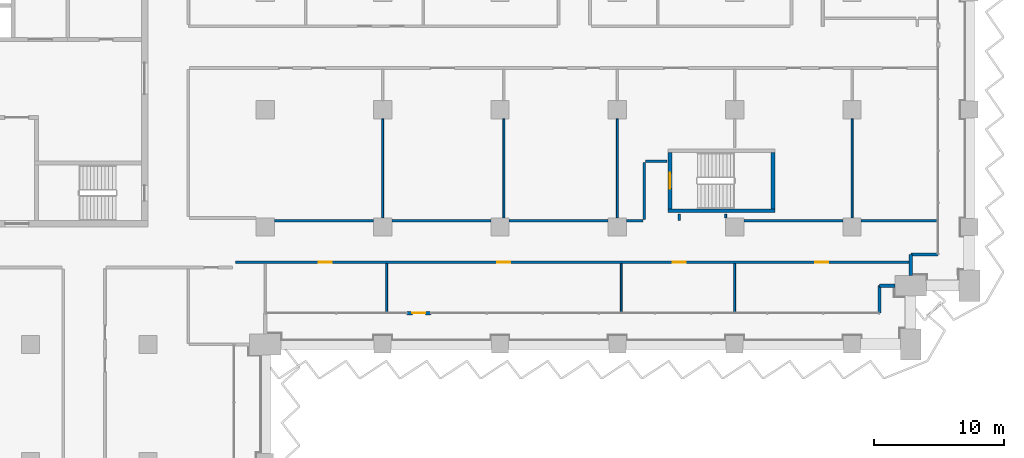
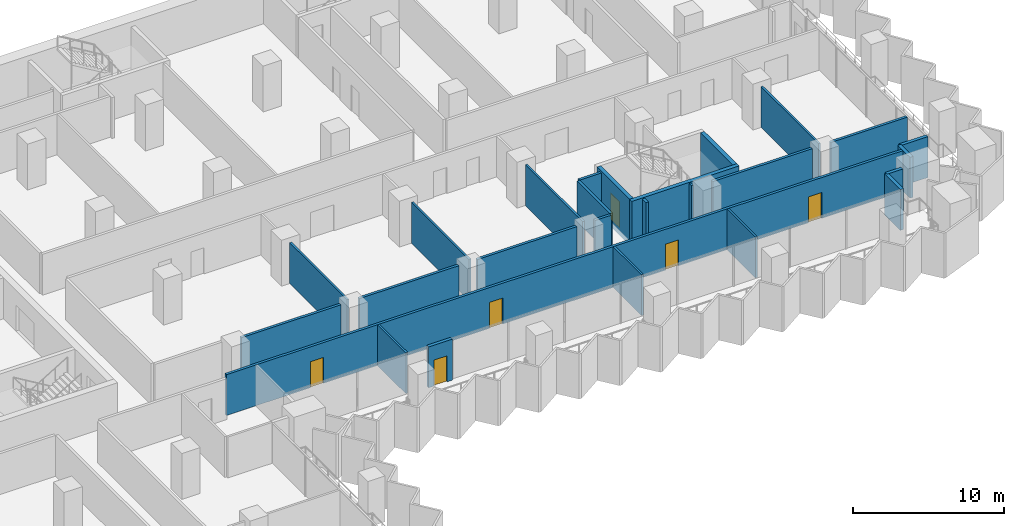
# One storey, part 14 of 29: 26 walls, 6 doors, 6 openings.
"""IFC4 building model written with IfcOpenShell, lengths in metres."""

from ifc_helpers import new_model, si_unit, direction, frame, frame_2d, origin, place, context, subcontext, project, spatial, rectangle, extrude, material, layer, layer_set, type_object, element, fill, save


model = new_model("IFC4")

# Units and contexts
model_context = context("Model", 3, precision=1e-05, world=origin(), true_north=direction((0.0, 1.0)))
body_context = subcontext(model_context, "Body", "Model", "MODEL_VIEW")
ifc_project = project(units=[si_unit("LENGTHUNIT", "METRE"), si_unit("AREAUNIT", "SQUARE_METRE"), si_unit("VOLUMEUNIT", "CUBIC_METRE"), si_unit("PLANEANGLEUNIT", "RADIAN"), si_unit("MASSUNIT", "GRAM", prefix="KILO")], contexts=[model_context])

# Site, building, storey
site_placement = place(None, origin())
site = spatial("IfcSite", under=ifc_project, at=site_placement, CompositionType="ELEMENT")
building_placement = place(site_placement, origin())
building = spatial("IfcBuilding", under=site, at=building_placement, Name="Hunhe Ridgeline Campus", CompositionType="ELEMENT")
storey_placement = place(building_placement, frame((0.0, 0.0, 65.39990234375)))
storey = spatial("IfcBuildingStorey", under=building, at=storey_placement, Name="L15", CompositionType="ELEMENT", Elevation=65.39990234375)

# Walls
ifc_material_1 = material(Name="Concrete C30", Category="concrete")
ifc_layer_1 = layer(ifc_material_1, 0.25)
ifc_layer_set_1 = layer_set([ifc_layer_1], Name="Corner return wall 250 Concrete C30")
wall_type_1 = type_object("IfcWallType", Name="Corner return wall 250 Concrete C30", PredefinedType="SOLIDWALL", material=ifc_layer_set_1)
wall_1_placement = place(storey_placement, frame((92.09912109375, 56.40087890625, 0.0), z_axis=(0.0, 0.0, 1.0), x_axis=(0.00011626555, 0.999999993241, 0.0)))
element("IfcWall", 1, at=wall_1_placement, inside=storey, type_object=wall_type_1, Name="Corner return wall 4", PredefinedType="SOLIDWALL", context=body_context, shape_type="SweptSolid", body=[
    extrude(rectangle(XDim=2.099853515625, YDim=0.25, at=frame_2d((1.0498046875, 0.0))), origin(), (0.0, 0.0, 1.0), 3.300048828125),
])
wall_2_placement = place(storey_placement, frame((92.099365234375, 58.500732421875, 0.0), z_axis=(0.0, 0.0, 1.0), x_axis=(1.0, 0.0, 0.0)))
element("IfcWall", 2, at=wall_2_placement, inside=storey, type_object=wall_type_1, Name="Corner return wall 5", PredefinedType="SOLIDWALL", context=body_context, shape_type="SweptSolid", body=[
    extrude(rectangle(XDim=1.20068359375, YDim=0.25, at=frame_2d((0.600341796875, 0.0))), origin(), (0.0, 0.0, 1.0), 3.300048828125),
])
wall_3_placement = place(storey_placement, frame((94.4990234375, 59.300048828125, 0.0), z_axis=(0.0, 0.0, 1.0), x_axis=(0.00015253203, 0.999999988367, 0.0)))
element("IfcWall", 3, at=wall_3_placement, inside=storey, type_object=wall_type_1, Name="Corner return wall 6", PredefinedType="SOLIDWALL", context=body_context, shape_type="SweptSolid", body=[
    extrude(rectangle(XDim=1.6005859375, YDim=0.25, at=frame_2d((0.80029296875, 0.0))), origin(), (0.0, 0.0, 1.0), 3.300048828125),
])
wall_4_placement = place(storey_placement, frame((94.499267578125, 60.900634765625, 0.0), z_axis=(0.0, 0.0, 1.0), x_axis=(0.999999993241, 0.00011626555, 0.0)))
element("IfcWall", 4, at=wall_4_placement, inside=storey, type_object=wall_type_1, Name="Corner return wall 7", PredefinedType="SOLIDWALL", context=body_context, shape_type="SweptSolid", body=[
    extrude(rectangle(XDim=2.099853515625, YDim=0.25, at=frame_2d((1.0498046875, 0.0))), origin(), (0.0, 0.0, 1.0), 3.300048828125),
])

# Wall, openings, doors
ifc_material_2 = material(Name="Gypsum board partition")
ifc_layer_2 = layer(ifc_material_2, 0.199951171875)
ifc_layer_set_2 = layer_set([ifc_layer_2], Name="Corridor partition 200 gypsum board on steel studs")
wall_type_2 = type_object("IfcWallType", Name="Corridor partition 200 gypsum board on steel studs", PredefinedType="PARTITIONING", material=ifc_layer_set_2)
wall_5_placement = place(storey_placement, frame((94.354248046875, 60.300048828125, 0.0), z_axis=(0.0, 0.0, 1.0), x_axis=(-1.0, 0.0, 0.0)))
wall_5 = element("IfcWall", 5, at=wall_5_placement, inside=storey, type_object=wall_type_2, Name="F-L15-wall-034", PredefinedType="PARTITIONING", context=body_context, shape_type="SweptSolid", body=[
    extrude(rectangle(XDim=51.654296875, YDim=0.199951171875, at=frame_2d((25.8271484375, 0.0))), origin(), (0.0, 0.0, 1.0), 3.300048828125),
])
opening_1_placement = place(wall_5_placement, frame((44.24658203125, 0.0, 0.0)))
opening_1 = element("IfcOpeningElement", 6, at=opening_1_placement, cuts=wall_5, Name="Opening RD1-023", PredefinedType="OPENING", context=body_context, shape_type="SweptSolid", body=[
    extrude(rectangle(XDim=1.0, YDim=2.10009765625, at=frame_2d((0.5, 1.050048828125))), frame((0.0, 0.10009765625, 0.0), z_axis=(0.0, -1.0, 0.0), x_axis=(1.0, 0.0, 0.0)), (0.0, 0.0, 1.0), 0.199951171875),
])
opening_2_placement = place(wall_5_placement, frame((30.556640625, 0.0, 0.0)))
opening_2 = element("IfcOpeningElement", 7, at=opening_2_placement, cuts=wall_5, Name="Opening RD1-024", PredefinedType="OPENING", context=body_context, shape_type="SweptSolid", body=[
    extrude(rectangle(XDim=1.0, YDim=2.10009765625, at=frame_2d((0.5, 1.050048828125))), frame((0.0, 0.10009765625, 0.0), z_axis=(0.0, -1.0, 0.0), x_axis=(1.0, 0.0, 0.0)), (0.0, 0.0, 1.0), 0.199951171875),
])
opening_3_placement = place(wall_5_placement, frame((17.117919921875, 0.0, 0.0)))
opening_3 = element("IfcOpeningElement", 8, at=opening_3_placement, cuts=wall_5, Name="Opening RD1-025", PredefinedType="OPENING", context=body_context, shape_type="SweptSolid", body=[
    extrude(rectangle(XDim=1.0, YDim=2.10009765625, at=frame_2d((0.5, 1.050048828125))), frame((0.0, 0.10009765625, 0.0), z_axis=(0.0, -1.0, 0.0), x_axis=(1.0, 0.0, 0.0)), (0.0, 0.0, 1.0), 0.199951171875),
])
opening_4_placement = place(wall_5_placement, frame((6.191162109375, 0.0, 0.0)))
opening_4 = element("IfcOpeningElement", 9, at=opening_4_placement, cuts=wall_5, Name="Opening RD1-026", PredefinedType="OPENING", context=body_context, shape_type="SweptSolid", body=[
    extrude(rectangle(XDim=1.0, YDim=2.10009765625, at=frame_2d((0.5, 1.050048828125))), frame((0.0, 0.10009765625, 0.0), z_axis=(0.0, -1.0, 0.0), x_axis=(1.0, 0.0, 0.0)), (0.0, 0.0, 1.0), 0.199951171875),
])
ifc_material_3 = material(Name="Timber door leaf", Category="wood")
door_type_1 = type_object("IfcDoorType", Name="Single fire door 1000x2100 timber FD60", OperationType="NOTDEFINED", PredefinedType="DOOR", material=ifc_material_3)
door_1_placement = place(opening_1_placement, origin())
door_1 = element("IfcDoor", 10, at=door_1_placement, inside=storey, type_object=door_type_1, Name="F-L15-door-023", OperationType="SINGLE_SWING_RIGHT", OverallHeight=2.10009765625, OverallWidth=1.0, PredefinedType="DOOR", context=body_context, shape_type="SweptSolid", body=[
    extrude(rectangle(XDim=1.0, YDim=2.10009765625, at=frame_2d((0.5, 1.050048828125))), frame((0.0, 0.02490234375, 0.0), z_axis=(0.0, -1.0, 0.0), x_axis=(1.0, 0.0, 0.0)), (0.0, 0.0, 1.0), 0.050048828125),
])
fill(opening_1, door_1)
door_2_placement = place(opening_2_placement, origin())
door_2 = element("IfcDoor", 11, at=door_2_placement, inside=storey, type_object=door_type_1, Name="F-L15-door-024", OperationType="SINGLE_SWING_LEFT", OverallHeight=2.10009765625, OverallWidth=1.0, PredefinedType="DOOR", context=body_context, shape_type="SweptSolid", body=[
    extrude(rectangle(XDim=1.0, YDim=2.10009765625, at=frame_2d((0.5, 1.050048828125))), frame((0.0, 0.02490234375, 0.0), z_axis=(0.0, -1.0, 0.0), x_axis=(1.0, 0.0, 0.0)), (0.0, 0.0, 1.0), 0.050048828125),
])
fill(opening_2, door_2)
door_3_placement = place(opening_3_placement, origin())
door_3 = element("IfcDoor", 12, at=door_3_placement, inside=storey, type_object=door_type_1, Name="F-L15-door-025", OperationType="SINGLE_SWING_LEFT", OverallHeight=2.10009765625, OverallWidth=1.0, PredefinedType="DOOR", context=body_context, shape_type="SweptSolid", body=[
    extrude(rectangle(XDim=1.0, YDim=2.10009765625, at=frame_2d((0.5, 1.050048828125))), frame((0.0, 0.02490234375, 0.0), z_axis=(0.0, -1.0, 0.0), x_axis=(1.0, 0.0, 0.0)), (0.0, 0.0, 1.0), 0.050048828125),
])
fill(opening_3, door_3)
door_4_placement = place(opening_4_placement, origin())
door_4 = element("IfcDoor", 13, at=door_4_placement, inside=storey, type_object=door_type_1, Name="F-L15-door-026", OperationType="SINGLE_SWING_LEFT", OverallHeight=2.10009765625, OverallWidth=1.0, PredefinedType="DOOR", context=body_context, shape_type="SweptSolid", body=[
    extrude(rectangle(XDim=1.0, YDim=2.10009765625, at=frame_2d((0.5, 1.050048828125))), frame((0.0, 0.02490234375, 0.0), z_axis=(0.0, -1.0, 0.0), x_axis=(1.0, 0.0, 0.0)), (0.0, 0.0, 1.0), 0.050048828125),
])
fill(opening_4, door_4)

# Walls
for number, where, z_axis, x_axis, name in (
    (14, (45.699951171875, 63.5, 0.0), (0.0, 0.0, 1.0), (1.0, 0.0, 0.0), "F-L15-wall-036"),
    (15, (54.699951171875, 63.5, 0.0), (0.0, 0.0, 1.0), (1.0, 0.0, 0.0), "F-L15-wall-037"),
    (16, (63.699951171875, 63.5, 0.0), (0.0, 0.0, 1.0), (1.0, 0.0, 0.0), "F-L15-wall-038"),
):
    element("IfcWall", number, at=place(storey_placement, frame(where, z_axis=z_axis, x_axis=x_axis)), inside=storey, type_object=wall_type_2, Name=name, PredefinedType="PARTITIONING", context=body_context, shape_type="SweptSolid", body=[
        extrude(rectangle(XDim=7.60009765625, YDim=0.199951171875, at=frame_2d((3.800048828125, 0.0))), origin(), (0.0, 0.0, 1.0), 3.300048828125),
    ])
wall_6_placement = place(storey_placement, frame((72.699951171875, 63.5, 0.0), z_axis=(0.0, 0.0, 1.0), x_axis=(1.0, 0.0, 0.0)))
element("IfcWall", 17, at=wall_6_placement, inside=storey, type_object=wall_type_2, Name="F-L15-wall-039", PredefinedType="PARTITIONING", context=body_context, shape_type="SweptSolid", body=[
    extrude(rectangle(XDim=1.25, YDim=0.199951171875, at=frame_2d((0.625, 0.0))), origin(), (0.0, 0.0, 1.0), 3.300048828125),
])
wall_7_placement = place(storey_placement, frame((81.699951171875, 63.5, 0.0), z_axis=(0.0, 0.0, 1.0), x_axis=(1.0, 0.0, 0.0)))
element("IfcWall", 18, at=wall_7_placement, inside=storey, type_object=wall_type_2, Name="F-L15-wall-040", PredefinedType="PARTITIONING", context=body_context, shape_type="SweptSolid", body=[
    extrude(rectangle(XDim=7.60009765625, YDim=0.199951171875, at=frame_2d((3.800048828125, 0.0))), origin(), (0.0, 0.0, 1.0), 3.300048828125),
])
wall_8_placement = place(storey_placement, frame((90.699951171875, 63.5, 0.0), z_axis=(0.0, 0.0, 1.0), x_axis=(1.0, 0.0, 0.0)))
element("IfcWall", 19, at=wall_8_placement, inside=storey, type_object=wall_type_2, Name="F-L15-wall-041", PredefinedType="PARTITIONING", context=body_context, shape_type="SweptSolid", body=[
    extrude(rectangle(XDim=5.844970703125, YDim=0.199951171875, at=frame_2d((2.92236328125, 0.0))), origin(), (0.0, 0.0, 1.0), 3.300048828125),
])
wall_9_placement = place(storey_placement, frame((74.14990234375, 68.050048828125, 0.0), z_axis=(0.0, 0.0, 1.0), x_axis=(1.0, 0.0, 0.0)))
element("IfcWall", 20, at=wall_9_placement, inside=storey, type_object=wall_type_2, Name="F-L15-wall-042", PredefinedType="PARTITIONING", context=body_context, shape_type="SweptSolid", body=[
    extrude(rectangle(XDim=1.64599609375, YDim=0.199951171875, at=frame_2d((0.822998046875, 0.0))), origin(), (0.0, 0.0, 1.0), 3.300048828125),
])
wall_10_placement = place(storey_placement, frame((74.050048828125, 63.60009765625, 0.0), z_axis=(0.0, 0.0, 1.0), x_axis=(0.0, 1.0, 0.0)))
element("IfcWall", 21, at=wall_10_placement, inside=storey, type_object=wall_type_2, Name="F-L15-wall-076", PredefinedType="PARTITIONING", context=body_context, shape_type="SweptSolid", body=[
    extrude(rectangle(XDim=4.349853515625, YDim=0.199951171875, at=frame_2d((2.1748046875, 0.0))), origin(), (0.0, 0.0, 1.0), 3.300048828125),
])
wall_11_placement = place(storey_placement, frame((76.75, 63.99609375, 0.0), z_axis=(0.0, 0.0, 1.0), x_axis=(0.0, -1.0, 0.0)))
element("IfcWall", 22, at=wall_11_placement, inside=storey, type_object=wall_type_2, Name="F-L15-wall-078", PredefinedType="PARTITIONING", context=body_context, shape_type="SweptSolid", body=[
    extrude(rectangle(XDim=0.49609375, YDim=0.199951171875, at=frame_2d((0.248046875, 0.0))), origin(), (0.0, 0.0, 1.0), 3.300048828125),
])

# Wall, opening, door
ifc_layer_3 = layer(ifc_material_1, 0.25)
ifc_layer_set_3 = layer_set([ifc_layer_3], Name="Loggia door pier wall 250 Concrete C30")
wall_type_3 = type_object("IfcWallType", Name="Loggia door pier wall 250 Concrete C30", PredefinedType="SOLIDWALL", material=ifc_layer_set_3)
wall_12_placement = place(storey_placement, frame((55.874267578125, 56.40087890625, 0.0), z_axis=(0.0, 0.0, 1.0), x_axis=(1.0, 0.0, 0.0)))
wall_12 = element("IfcWall", 23, at=wall_12_placement, inside=storey, type_object=wall_type_3, Name="Loggia door pier 3", PredefinedType="SOLIDWALL", context=body_context, shape_type="SweptSolid", body=[
    extrude(rectangle(XDim=1.800048828125, YDim=0.25, at=frame_2d((0.89990234375, 0.0))), origin(), (0.0, 0.0, 1.0), 3.300048828125),
])
opening_5_placement = place(wall_12_placement, frame((0.39990234375, 0.0, 0.0)))
opening_5 = element("IfcOpeningElement", 24, at=opening_5_placement, cuts=wall_12, Name="Opening BD106", PredefinedType="OPENING", context=body_context, shape_type="SweptSolid", body=[
    extrude(rectangle(XDim=1.0, YDim=2.10009765625, at=frame_2d((0.5, 1.050048828125))), frame((0.0, 0.125, 0.0), z_axis=(0.0, -1.0, 0.0), x_axis=(1.0, 0.0, 0.0)), (0.0, 0.0, 1.0), 0.25),
])
ifc_material_4 = material(Name="Aluminium 6063", Category="aluminium")
door_type_2 = type_object("IfcDoorType", Name="Loggia glazed door 1000x2100", OperationType="NOTDEFINED", PredefinedType="DOOR", material=ifc_material_4)
door_5_placement = place(opening_5_placement, frame((1.0, 0.0, 0.0), z_axis=(0.0, 0.0, 1.0), x_axis=(-1.0, 0.0, 0.0)))
door_5 = element("IfcDoor", 25, at=door_5_placement, inside=storey, type_object=door_type_2, Name="Loggia door BD106", OperationType="SINGLE_SWING_LEFT", OverallHeight=2.10009765625, OverallWidth=1.0, PredefinedType="DOOR", context=body_context, shape_type="SweptSolid", body=[
    extrude(rectangle(XDim=1.0, YDim=2.10009765625, at=frame_2d((0.5, 1.050048828125))), frame((0.0, 0.02490234375, 0.0), z_axis=(0.0, -1.0, 0.0), x_axis=(1.0, 0.0, 0.0)), (0.0, 0.0, 1.0), 0.050048828125),
])
fill(opening_5, door_5)

# Walls
ifc_layer_4 = layer(ifc_material_2, 0.14990234375)
ifc_layer_set_4 = layer_set([ifc_layer_4], Name="Room partition 150 gypsum board on steel studs")
wall_type_4 = type_object("IfcWallType", Name="Room partition 150 gypsum board on steel studs", PredefinedType="PARTITIONING", material=ifc_layer_set_4)
wall_13_placement = place(storey_placement, frame((54.0, 71.300048828125, 0.0), z_axis=(0.0, 0.0, 1.0), x_axis=(0.0, -1.0, 0.0)))
element("IfcWall", 26, at=wall_13_placement, inside=storey, type_object=wall_type_4, Name="F-L15-wall-065", PredefinedType="PARTITIONING", context=body_context, shape_type="SweptSolid", body=[
    extrude(rectangle(XDim=7.60009765625, YDim=0.14990234375, at=frame_2d((3.800048828125, 0.0))), origin(), (0.0, 0.0, 1.0), 3.300048828125),
])
wall_14_placement = place(storey_placement, frame((54.300048828125, 60.199951171875, 0.0), z_axis=(0.0, 0.0, 1.0), x_axis=(0.0, -1.0, 0.0)))
element("IfcWall", 27, at=wall_14_placement, inside=storey, type_object=wall_type_4, Name="F-L15-wall-067", PredefinedType="PARTITIONING", context=body_context, shape_type="SweptSolid", body=[
    extrude(rectangle(XDim=3.7451171875, YDim=0.14990234375, at=frame_2d((1.87255859375, 0.0))), origin(), (0.0, 0.0, 1.0), 3.300048828125),
])
for number, where, z_axis, x_axis, name in (
    (28, (63.300048828125, 71.300048828125, 0.0), (0.0, 0.0, 1.0), (0.0, -1.0, 0.0), "F-L15-wall-069"),
    (29, (72.0, 71.300048828125, 0.0), (0.0, 0.0, 1.0), (0.0, -1.0, 0.0), "F-L15-wall-073"),
):
    element("IfcWall", number, at=place(storey_placement, frame(where, z_axis=z_axis, x_axis=x_axis)), inside=storey, type_object=wall_type_4, Name=name, PredefinedType="PARTITIONING", context=body_context, shape_type="SweptSolid", body=[
        extrude(rectangle(XDim=7.60009765625, YDim=0.14990234375, at=frame_2d((3.800048828125, 0.0))), origin(), (0.0, 0.0, 1.0), 3.300048828125),
    ])
wall_15_placement = place(storey_placement, frame((72.300048828125, 60.199951171875, 0.0), z_axis=(0.0, 0.0, 1.0), x_axis=(0.0, -1.0, 0.0)))
element("IfcWall", 30, at=wall_15_placement, inside=storey, type_object=wall_type_4, Name="F-L15-wall-075", PredefinedType="PARTITIONING", context=body_context, shape_type="SweptSolid", body=[
    extrude(rectangle(XDim=3.7451171875, YDim=0.14990234375, at=frame_2d((1.87255859375, 0.0))), origin(), (0.0, 0.0, 1.0), 3.300048828125),
])
wall_16_placement = place(storey_placement, frame((80.300048828125, 63.99609375, 0.0), z_axis=(0.0, 0.0, 1.0), x_axis=(0.0, -1.0, 0.0)))
element("IfcWall", 31, at=wall_16_placement, inside=storey, type_object=wall_type_4, Name="F-L15-wall-079", PredefinedType="PARTITIONING", context=body_context, shape_type="SweptSolid", body=[
    extrude(rectangle(XDim=0.296142578125, YDim=0.14990234375, at=frame_2d((0.14794921875, 0.0))), origin(), (0.0, 0.0, 1.0), 3.300048828125),
])
wall_17_placement = place(storey_placement, frame((81.0, 60.199951171875, 0.0), z_axis=(0.0, 0.0, 1.0), x_axis=(0.0, -1.0, 0.0)))
element("IfcWall", 32, at=wall_17_placement, inside=storey, type_object=wall_type_4, Name="F-L15-wall-080", PredefinedType="PARTITIONING", context=body_context, shape_type="SweptSolid", body=[
    extrude(rectangle(XDim=3.744873046875, YDim=0.14990234375, at=frame_2d((1.87255859375, 0.0))), origin(), (0.0, 0.0, 1.0), 3.300048828125),
])
wall_18_placement = place(storey_placement, frame((90.0, 71.300048828125, 0.0), z_axis=(0.0, 0.0, 1.0), x_axis=(0.0, -1.0, 0.0)))
element("IfcWall", 33, at=wall_18_placement, inside=storey, type_object=wall_type_4, Name="F-L15-wall-085", PredefinedType="PARTITIONING", context=body_context, shape_type="SweptSolid", body=[
    extrude(rectangle(XDim=7.60009765625, YDim=0.14990234375, at=frame_2d((3.800048828125, 0.0))), origin(), (0.0, 0.0, 1.0), 3.300048828125),
])
ifc_material_5 = material(Name="Concrete C80", Category="concrete")
ifc_layer_5 = layer(ifc_material_5, 0.300048828125)
ifc_layer_set_5 = layer_set([ifc_layer_5], Name="Stair wall 300 reinforced concrete C80")
wall_type_5 = type_object("IfcWallType", Name="Stair wall 300 reinforced concrete C80", PredefinedType="SOLIDWALL", material=ifc_layer_set_5)
wall_19_placement = place(storey_placement, frame((75.89990234375, 64.25, -0.39990234375), z_axis=(0.0, 0.0, 1.0), x_axis=(1.0, 0.0, 0.0)))
element("IfcWall", 34, at=wall_19_placement, inside=storey, type_object=wall_type_5, Name="L15 core wall 8", PredefinedType="SOLIDWALL", context=body_context, shape_type="SweptSolid", body=[
    extrude(rectangle(XDim=8.2001953125, YDim=0.300048828125, at=frame_2d((4.10009765625, 0.0))), origin(), (0.0, 0.0, 1.0), 3.699951171875),
])

# Wall, opening, door
wall_20_placement = place(storey_placement, frame((76.050048828125, 64.39990234375, -0.39990234375), z_axis=(0.0, 0.0, 1.0), x_axis=(0.0, 1.0, 0.0)))
wall_20 = element("IfcWall", 35, at=wall_20_placement, inside=storey, type_object=wall_type_5, Name="L15 core wall 71", PredefinedType="SOLIDWALL", context=body_context, shape_type="SweptSolid", body=[
    extrude(rectangle(XDim=4.300048828125, YDim=0.300048828125, at=frame_2d((2.14990234375, 0.0))), origin(), (0.0, 0.0, 1.0), 3.699951171875),
])
opening_6_placement = place(wall_20_placement, frame((1.550048828125, 0.0, 0.39990234375)))
opening_6 = element("IfcOpeningElement", 36, at=opening_6_placement, cuts=wall_20, Name="Opening CD24", PredefinedType="OPENING", context=body_context, shape_type="SweptSolid", body=[
    extrude(rectangle(XDim=1.199951171875, YDim=2.10009765625, at=frame_2d((0.60009765625, 1.050048828125))), frame((0.0, 0.14990234375, 0.0), z_axis=(0.0, -1.0, 0.0), x_axis=(1.0, 0.0, 0.0)), (0.0, 0.0, 1.0), 0.300048828125),
])
ifc_material_6 = material(Name="Hollow metal fire door leaf")
door_type_3 = type_object("IfcDoorType", Name="Stair door 1200x2100 FD60", OperationType="SINGLE_SWING_LEFT", PredefinedType="DOOR", material=ifc_material_6)
door_6_placement = place(opening_6_placement, origin())
door_6 = element("IfcDoor", 37, at=door_6_placement, inside=storey, type_object=door_type_3, Name="L15 door E5", OperationType="SINGLE_SWING_RIGHT", OverallHeight=2.10009765625, OverallWidth=1.199951171875, PredefinedType="DOOR", context=body_context, shape_type="SweptSolid", body=[
    extrude(rectangle(XDim=1.199951171875, YDim=2.10009765625, at=frame_2d((0.60009765625, 1.050048828125))), frame((0.0, 0.02490234375, 0.0), z_axis=(0.0, -1.0, 0.0), x_axis=(1.0, 0.0, 0.0)), (0.0, 0.0, 1.0), 0.050048828125),
])
fill(opening_6, door_6)

# Wall
wall_21_placement = place(storey_placement, frame((83.949951171875, 64.39990234375, -0.39990234375), z_axis=(0.0, 0.0, 1.0), x_axis=(0.0, 1.0, 0.0)))
element("IfcWall", 38, at=wall_21_placement, inside=storey, type_object=wall_type_5, Name="L15 core wall 72", PredefinedType="SOLIDWALL", context=body_context, shape_type="SweptSolid", body=[
    extrude(rectangle(XDim=4.300048828125, YDim=0.300048828125, at=frame_2d((2.14990234375, 0.0))), origin(), (0.0, 0.0, 1.0), 3.699951171875),
])

save(model, "model.ifc")
